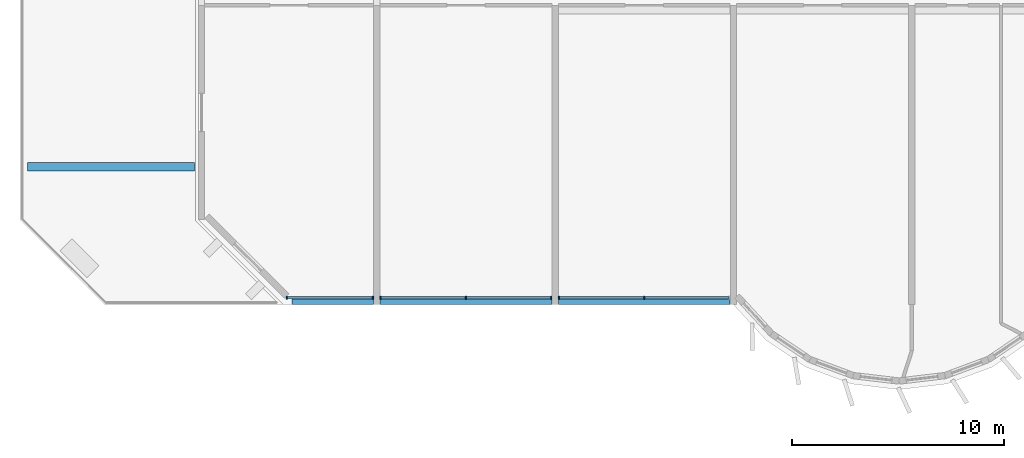
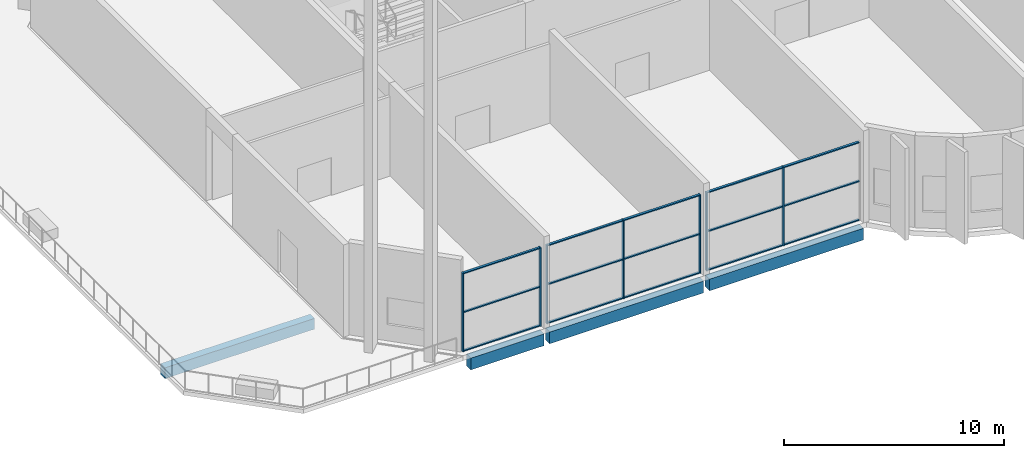
# One storey, part 1 of 19: 22 members, 4 beams, 3 elements without a shape of their own.
"""IFC4 building model written with IfcOpenShell, lengths in metres."""

from ifc_helpers import new_model, si_unit, direction, frame, origin, origin_2d, place, context, subcontext, project, spatial, rectangle, extrude, source, transform, mapped, material, material_profile, profile_set, type_object, element, aggregate, save


model = new_model("IFC4")

# Units and contexts
model_context = context("Model", 3, precision=1e-05, world=origin(), true_north=direction((0.0, 1.0)))
body_context = subcontext(model_context, "Body", "Model", "MODEL_VIEW")
ifc_project = project(units=[si_unit("LENGTHUNIT", "METRE"), si_unit("AREAUNIT", "SQUARE_METRE"), si_unit("VOLUMEUNIT", "CUBIC_METRE"), si_unit("PLANEANGLEUNIT", "RADIAN"), si_unit("MASSUNIT", "GRAM", prefix="KILO")], contexts=[model_context])

# Site, building, storey
site_placement = place(None, origin())
site = spatial("IfcSite", under=ifc_project, at=site_placement, CompositionType="ELEMENT")
building_placement = place(site_placement, origin())
building = spatial("IfcBuilding", under=site, at=building_placement, Name="Vanashikhar Sky Hotel", CompositionType="ELEMENT")
storey_placement = place(building_placement, frame((0.0, 0.0, 146.199951171875)))
storey = spatial("IfcBuildingStorey", under=building, at=storey_placement, Name="L35", CompositionType="ELEMENT", Elevation=146.199951171875)

# Beams
ifc_material_1 = material(Name="Concrete M50", Category="concrete")
ifc_material_profile_1 = material_profile(ifc_material_1, rectangle(XDim=0.39990234375, YDim=0.64990234375, at=origin_2d()))
ifc_profile_set_1 = profile_set([ifc_material_profile_1], Name="RC 400x650 beam Concrete M50")
beam_type_1 = type_object("IfcBeamType", Name="RC 400x650 beam Concrete M50", PredefinedType="BEAM", material=ifc_profile_set_1)
shared_shape_1 = source(origin(), body_context, "Body", "SweptSolid", [
    extrude(rectangle(XDim=0.39990234375, YDim=0.64990234375, at=origin_2d()), origin(), (0.0, 0.0, 1.0), 8.10009765625),
])
beam_1_placement = place(storey_placement, frame((16.949951171875, 5.699951171875, -0.60498046875), z_axis=(1.0, 0.0, 0.0), x_axis=(0.0, 1.0, 0.0)))
element("IfcBeam", 1, at=beam_1_placement, inside=storey, type_object=beam_type_1, Name="EB-L35-F01", PredefinedType="BEAM", context=body_context, shape_type="MappedRepresentation", body=[
    mapped(shared_shape_1, transform((0.0, 0.0, 0.0), scale=1.0)),
])
shared_shape_2 = source(origin(), body_context, "Body", "SweptSolid", [
    extrude(rectangle(XDim=0.39990234375, YDim=0.64990234375, at=origin_2d()), origin(), (0.0, 0.0, 1.0), 8.099853515625),
])
beam_2_placement = place(storey_placement, frame((25.35009765625, 5.699951171875, -0.60498046875), z_axis=(1.0, 0.0, 0.0), x_axis=(0.0, 1.0, 0.0)))
element("IfcBeam", 2, at=beam_2_placement, inside=storey, type_object=beam_type_1, Name="EB-L35-F02", PredefinedType="BEAM", context=body_context, shape_type="MappedRepresentation", body=[
    mapped(shared_shape_2, transform((0.0, 0.0, 0.0), scale=1.0)),
])
ifc_material_profile_2 = material_profile(ifc_material_1, rectangle(XDim=0.39990234375, YDim=0.64990234375, at=origin_2d()))
ifc_profile_set_2 = profile_set([ifc_material_profile_2], Name="RC 400x650 cantilever beam Concrete M50")
beam_type_2 = type_object("IfcBeamType", Name="RC 400x650 cantilever beam Concrete M50", PredefinedType="SPANDREL", material=ifc_profile_set_2)
shared_shape_3 = source(origin(), body_context, "Body", "SweptSolid", [
    extrude(rectangle(XDim=0.39990234375, YDim=0.64990234375, at=origin_2d()), origin(), (0.0, 0.0, 1.0), 3.849853515625),
])
beam_3_placement = place(storey_placement, frame((12.800048828125, 5.699951171875, -0.60498046875), z_axis=(1.0, 0.0, 0.0), x_axis=(0.0, 1.0, 0.0)))
element("IfcBeam", 3, at=beam_3_placement, inside=storey, type_object=beam_type_2, Name="EB-L35-F03", PredefinedType="SPANDREL", context=body_context, shape_type="MappedRepresentation", body=[
    mapped(shared_shape_3, transform((0.0, 0.0, 0.0), scale=1.0)),
])
ifc_material_profile_3 = material_profile(ifc_material_1, rectangle(XDim=0.39990234375, YDim=0.60009765625, at=origin_2d()))
ifc_profile_set_3 = profile_set([ifc_material_profile_3], Name="RC 400x600 beam Concrete M50")
beam_type_3 = type_object("IfcBeamType", Name="RC 400x600 beam Concrete M50", PredefinedType="BEAM", material=ifc_profile_set_3)
shared_shape_4 = source(origin(), body_context, "Body", "SweptSolid", [
    extrude(rectangle(XDim=0.39990234375, YDim=0.60009765625, at=origin_2d()), origin(), (0.0, 0.0, 1.0), 7.875),
])
beam_4_placement = place(storey_placement, frame((0.35009765625, 12.0, -0.579833984375), z_axis=(1.0, 0.0, 0.0), x_axis=(0.0, 1.0, 0.0)))
element("IfcBeam", 4, at=beam_4_placement, inside=storey, type_object=beam_type_3, Name="TB-L35-W1", PredefinedType="BEAM", context=body_context, shape_type="MappedRepresentation", body=[
    mapped(shared_shape_4, transform((0.0, 0.0, 0.0), scale=1.0)),
])

# Curtain wall, members
ifc_material_2 = material(Name="Glass", Category="glass")
curtain_wall_type = type_object("IfcCurtainWallType", Name="Sky lobby curtain wall", PredefinedType="NOTDEFINED", material=ifc_material_2)
curtain_wall_1_placement = place(storey_placement, origin())
curtain_wall_1 = element("IfcCurtainWall", 5, at=curtain_wall_1_placement, inside=storey, type_object=curtain_wall_type, Name="Sky lobby curtain wall", PredefinedType="NOTDEFINED")
ifc_material_3 = material(Name="Aluminium 6063-T6", Category="aluminium")
ifc_material_profile_4 = material_profile(ifc_material_3, rectangle(XDim=0.159912109375, YDim=0.06005859375, at=origin_2d()))
ifc_profile_set_4 = profile_set([ifc_material_profile_4], Name="Aluminium 6063-T6")
member_type_1 = type_object("IfcMemberType", Name="Sky lobby mullion 60 x 160", PredefinedType="MULLION", material=ifc_profile_set_4)
shared_shape_5 = source(origin(), body_context, "Body", "SweptSolid", [
    extrude(rectangle(XDim=0.159912109375, YDim=0.06005859375, at=origin_2d()), origin(), (0.0, 0.0, 1.0), 4.3701171875),
])
member_1_placement = place(storey_placement, frame((12.564697265625, 5.824951171875, 0.0), z_axis=(0.0, 0.0, 1.0), x_axis=(0.0, 1.0, 0.0)))
member_1 = element("IfcMember", 6, at=member_1_placement, type_object=member_type_1, Name="CW-4 mullion 1", PredefinedType="MULLION", context=body_context, shape_type="MappedRepresentation", body=[
    mapped(shared_shape_5, transform((0.0, 0.0, 0.0), scale=1.0)),
])
member_2_placement = place(storey_placement, frame((16.6201171875, 5.824951171875, 0.0), z_axis=(0.0, 0.0, 1.0), x_axis=(0.0, 1.0, 0.0)))
member_2 = element("IfcMember", 7, at=member_2_placement, type_object=member_type_1, Name="CW-4 mullion 2", PredefinedType="MULLION", context=body_context, shape_type="MappedRepresentation", body=[
    mapped(shared_shape_5, transform((0.0, 0.0, 0.0), scale=1.0)),
])

curtain_wall_2_placement = place(storey_placement, origin())
curtain_wall_2 = element("IfcCurtainWall", 8, at=curtain_wall_2_placement, inside=storey, type_object=curtain_wall_type, Name="Sky lobby curtain wall", PredefinedType="NOTDEFINED")
member_3_placement = place(storey_placement, frame((16.97998046875, 5.824951171875, 0.0), z_axis=(0.0, 0.0, 1.0), x_axis=(0.0, 1.0, 0.0)))
member_3 = element("IfcMember", 9, at=member_3_placement, type_object=member_type_1, Name="CW-4 mullion 1", PredefinedType="MULLION", context=body_context, shape_type="MappedRepresentation", body=[
    mapped(shared_shape_5, transform((0.0, 0.0, 0.0), scale=1.0)),
])
member_4_placement = place(storey_placement, frame((21.0, 5.824951171875, 0.0), z_axis=(0.0, 0.0, 1.0), x_axis=(0.0, 1.0, 0.0)))
member_4 = element("IfcMember", 10, at=member_4_placement, type_object=member_type_1, Name="CW-4 mullion 2", PredefinedType="MULLION", context=body_context, shape_type="MappedRepresentation", body=[
    mapped(shared_shape_5, transform((0.0, 0.0, 0.0), scale=1.0)),
])
member_5_placement = place(storey_placement, frame((25.02001953125, 5.824951171875, 0.0), z_axis=(0.0, 0.0, 1.0), x_axis=(0.0, 1.0, 0.0)))
member_5 = element("IfcMember", 11, at=member_5_placement, type_object=member_type_1, Name="CW-4 mullion 3", PredefinedType="MULLION", context=body_context, shape_type="MappedRepresentation", body=[
    mapped(shared_shape_5, transform((0.0, 0.0, 0.0), scale=1.0)),
])

curtain_wall_3_placement = place(storey_placement, origin())
curtain_wall_3 = element("IfcCurtainWall", 12, at=curtain_wall_3_placement, inside=storey, type_object=curtain_wall_type, Name="Sky lobby curtain wall", PredefinedType="NOTDEFINED")
member_6_placement = place(storey_placement, frame((25.3798828125, 5.824951171875, 0.0), z_axis=(0.0, 0.0, 1.0), x_axis=(0.0, 1.0, 0.0)))
member_6 = element("IfcMember", 13, at=member_6_placement, type_object=member_type_1, Name="CW-4 mullion 1", PredefinedType="MULLION", context=body_context, shape_type="MappedRepresentation", body=[
    mapped(shared_shape_5, transform((0.0, 0.0, 0.0), scale=1.0)),
])
member_7_placement = place(storey_placement, frame((29.39990234375, 5.824951171875, 0.0), z_axis=(0.0, 0.0, 1.0), x_axis=(0.0, 1.0, 0.0)))
member_7 = element("IfcMember", 14, at=member_7_placement, type_object=member_type_1, Name="CW-4 mullion 2", PredefinedType="MULLION", context=body_context, shape_type="MappedRepresentation", body=[
    mapped(shared_shape_5, transform((0.0, 0.0, 0.0), scale=1.0)),
])

# Member
ifc_material_profile_5 = material_profile(ifc_material_3, rectangle(XDim=0.1201171875, YDim=0.06005859375, at=origin_2d()))
ifc_profile_set_5 = profile_set([ifc_material_profile_5], Name="Aluminium 6063-T6")
member_type_2 = type_object("IfcMemberType", Name="Sky lobby transom 60 x 120", PredefinedType="USERDEFINED", material=ifc_profile_set_5)
shared_shape_6 = source(origin(), body_context, "Body", "SweptSolid", [
    extrude(rectangle(XDim=0.1201171875, YDim=0.06005859375, at=origin_2d()), origin(), (0.0, 0.0, 1.0), 3.99560546875),
])
member_8_placement = place(storey_placement, frame((12.594482421875, 5.824951171875, 0.030029296875), z_axis=(1.0, 0.0, 0.0), x_axis=(0.0, 1.0, 0.0)))
member_8 = element("IfcMember", 15, at=member_8_placement, type_object=member_type_2, Name="CW-4 transom 1.1", ObjectType="TRANSOM", PredefinedType="USERDEFINED", context=body_context, shape_type="MappedRepresentation", body=[
    mapped(shared_shape_6, transform((0.0, 0.0, 0.0), scale=1.0)),
])

member_9_placement = place(storey_placement, frame((12.594482421875, 5.824951171875, 2.18505859375), z_axis=(1.0, 0.0, 0.0), x_axis=(0.0, 1.0, 0.0)))
member_9 = element("IfcMember", 16, at=member_9_placement, type_object=member_type_2, Name="CW-4 transom 1.2", ObjectType="TRANSOM", PredefinedType="USERDEFINED", context=body_context, shape_type="MappedRepresentation", body=[
    mapped(shared_shape_6, transform((0.0, 0.0, 0.0), scale=1.0)),
])

member_10_placement = place(storey_placement, frame((12.594482421875, 5.824951171875, 4.340087890625), z_axis=(1.0, 0.0, 0.0), x_axis=(0.0, 1.0, 0.0)))
member_10 = element("IfcMember", 17, at=member_10_placement, type_object=member_type_2, Name="CW-4 transom 1.3", ObjectType="TRANSOM", PredefinedType="USERDEFINED", context=body_context, shape_type="MappedRepresentation", body=[
    mapped(shared_shape_6, transform((0.0, 0.0, 0.0), scale=1.0)),
])

aggregate(curtain_wall_1, [member_1, member_2, member_8, member_9, member_10])

shared_shape_7 = source(origin(), body_context, "Body", "SweptSolid", [
    extrude(rectangle(XDim=0.1201171875, YDim=0.06005859375, at=origin_2d()), origin(), (0.0, 0.0, 1.0), 3.9599609375),
])
member_11_placement = place(storey_placement, frame((17.010009765625, 5.824951171875, 0.030029296875), z_axis=(1.0, 0.0, 0.0), x_axis=(0.0, 1.0, 0.0)))
member_11 = element("IfcMember", 18, at=member_11_placement, type_object=member_type_2, Name="CW-4 transom 1.1", ObjectType="TRANSOM", PredefinedType="USERDEFINED", context=body_context, shape_type="MappedRepresentation", body=[
    mapped(shared_shape_7, transform((0.0, 0.0, 0.0), scale=1.0)),
])

member_12_placement = place(storey_placement, frame((17.010009765625, 5.824951171875, 2.18505859375), z_axis=(1.0, 0.0, 0.0), x_axis=(0.0, 1.0, 0.0)))
member_12 = element("IfcMember", 19, at=member_12_placement, type_object=member_type_2, Name="CW-4 transom 1.2", ObjectType="TRANSOM", PredefinedType="USERDEFINED", context=body_context, shape_type="MappedRepresentation", body=[
    mapped(shared_shape_7, transform((0.0, 0.0, 0.0), scale=1.0)),
])

member_13_placement = place(storey_placement, frame((17.010009765625, 5.824951171875, 4.340087890625), z_axis=(1.0, 0.0, 0.0), x_axis=(0.0, 1.0, 0.0)))
member_13 = element("IfcMember", 20, at=member_13_placement, type_object=member_type_2, Name="CW-4 transom 1.3", ObjectType="TRANSOM", PredefinedType="USERDEFINED", context=body_context, shape_type="MappedRepresentation", body=[
    mapped(shared_shape_7, transform((0.0, 0.0, 0.0), scale=1.0)),
])

member_14_placement = place(storey_placement, frame((21.030029296875, 5.824951171875, 0.030029296875), z_axis=(1.0, 0.0, 0.0), x_axis=(0.0, 1.0, 0.0)))
member_14 = element("IfcMember", 21, at=member_14_placement, type_object=member_type_2, Name="CW-4 transom 2.1", ObjectType="TRANSOM", PredefinedType="USERDEFINED", context=body_context, shape_type="MappedRepresentation", body=[
    mapped(shared_shape_7, transform((0.0, 0.0, 0.0), scale=1.0)),
])

member_15_placement = place(storey_placement, frame((21.030029296875, 5.824951171875, 2.18505859375), z_axis=(1.0, 0.0, 0.0), x_axis=(0.0, 1.0, 0.0)))
member_15 = element("IfcMember", 22, at=member_15_placement, type_object=member_type_2, Name="CW-4 transom 2.2", ObjectType="TRANSOM", PredefinedType="USERDEFINED", context=body_context, shape_type="MappedRepresentation", body=[
    mapped(shared_shape_7, transform((0.0, 0.0, 0.0), scale=1.0)),
])

member_16_placement = place(storey_placement, frame((21.030029296875, 5.824951171875, 4.340087890625), z_axis=(1.0, 0.0, 0.0), x_axis=(0.0, 1.0, 0.0)))
member_16 = element("IfcMember", 23, at=member_16_placement, type_object=member_type_2, Name="CW-4 transom 2.3", ObjectType="TRANSOM", PredefinedType="USERDEFINED", context=body_context, shape_type="MappedRepresentation", body=[
    mapped(shared_shape_7, transform((0.0, 0.0, 0.0), scale=1.0)),
])

aggregate(curtain_wall_2, [member_3, member_4, member_5, member_11, member_12, member_13, member_14, member_15, member_16])

member_17_placement = place(storey_placement, frame((29.429931640625, 5.824951171875, 0.030029296875), z_axis=(1.0, 0.0, 0.0), x_axis=(0.0, 1.0, 0.0)))
member_17 = element("IfcMember", 24, at=member_17_placement, type_object=member_type_2, Name="CW-4 transom 2.1", ObjectType="TRANSOM", PredefinedType="USERDEFINED", context=body_context, shape_type="MappedRepresentation", body=[
    mapped(shared_shape_7, transform((0.0, 0.0, 0.0), scale=1.0)),
])

member_18_placement = place(storey_placement, frame((29.429931640625, 5.824951171875, 2.18505859375), z_axis=(1.0, 0.0, 0.0), x_axis=(0.0, 1.0, 0.0)))
member_18 = element("IfcMember", 25, at=member_18_placement, type_object=member_type_2, Name="CW-4 transom 2.2", ObjectType="TRANSOM", PredefinedType="USERDEFINED", context=body_context, shape_type="MappedRepresentation", body=[
    mapped(shared_shape_7, transform((0.0, 0.0, 0.0), scale=1.0)),
])

member_19_placement = place(storey_placement, frame((29.429931640625, 5.824951171875, 4.340087890625), z_axis=(1.0, 0.0, 0.0), x_axis=(0.0, 1.0, 0.0)))
member_19 = element("IfcMember", 26, at=member_19_placement, type_object=member_type_2, Name="CW-4 transom 2.3", ObjectType="TRANSOM", PredefinedType="USERDEFINED", context=body_context, shape_type="MappedRepresentation", body=[
    mapped(shared_shape_7, transform((0.0, 0.0, 0.0), scale=1.0)),
])

shared_shape_8 = source(origin(), body_context, "Body", "SweptSolid", [
    extrude(rectangle(XDim=0.1201171875, YDim=0.06005859375, at=origin_2d()), origin(), (0.0, 0.0, 1.0), 3.960205078125),
])
member_20_placement = place(storey_placement, frame((25.409912109375, 5.824951171875, 0.030029296875), z_axis=(1.0, 0.0, 0.0), x_axis=(0.0, 1.0, 0.0)))
member_20 = element("IfcMember", 27, at=member_20_placement, type_object=member_type_2, Name="CW-4 transom 1.1", ObjectType="TRANSOM", PredefinedType="USERDEFINED", context=body_context, shape_type="MappedRepresentation", body=[
    mapped(shared_shape_8, transform((0.0, 0.0, 0.0), scale=1.0)),
])

member_21_placement = place(storey_placement, frame((25.409912109375, 5.824951171875, 2.18505859375), z_axis=(1.0, 0.0, 0.0), x_axis=(0.0, 1.0, 0.0)))
member_21 = element("IfcMember", 28, at=member_21_placement, type_object=member_type_2, Name="CW-4 transom 1.2", ObjectType="TRANSOM", PredefinedType="USERDEFINED", context=body_context, shape_type="MappedRepresentation", body=[
    mapped(shared_shape_8, transform((0.0, 0.0, 0.0), scale=1.0)),
])

member_22_placement = place(storey_placement, frame((25.409912109375, 5.824951171875, 4.340087890625), z_axis=(1.0, 0.0, 0.0), x_axis=(0.0, 1.0, 0.0)))
member_22 = element("IfcMember", 29, at=member_22_placement, type_object=member_type_2, Name="CW-4 transom 1.3", ObjectType="TRANSOM", PredefinedType="USERDEFINED", context=body_context, shape_type="MappedRepresentation", body=[
    mapped(shared_shape_8, transform((0.0, 0.0, 0.0), scale=1.0)),
])

aggregate(curtain_wall_3, [member_6, member_7, member_20, member_21, member_22, member_17, member_18, member_19])

save(model, "model.ifc")
